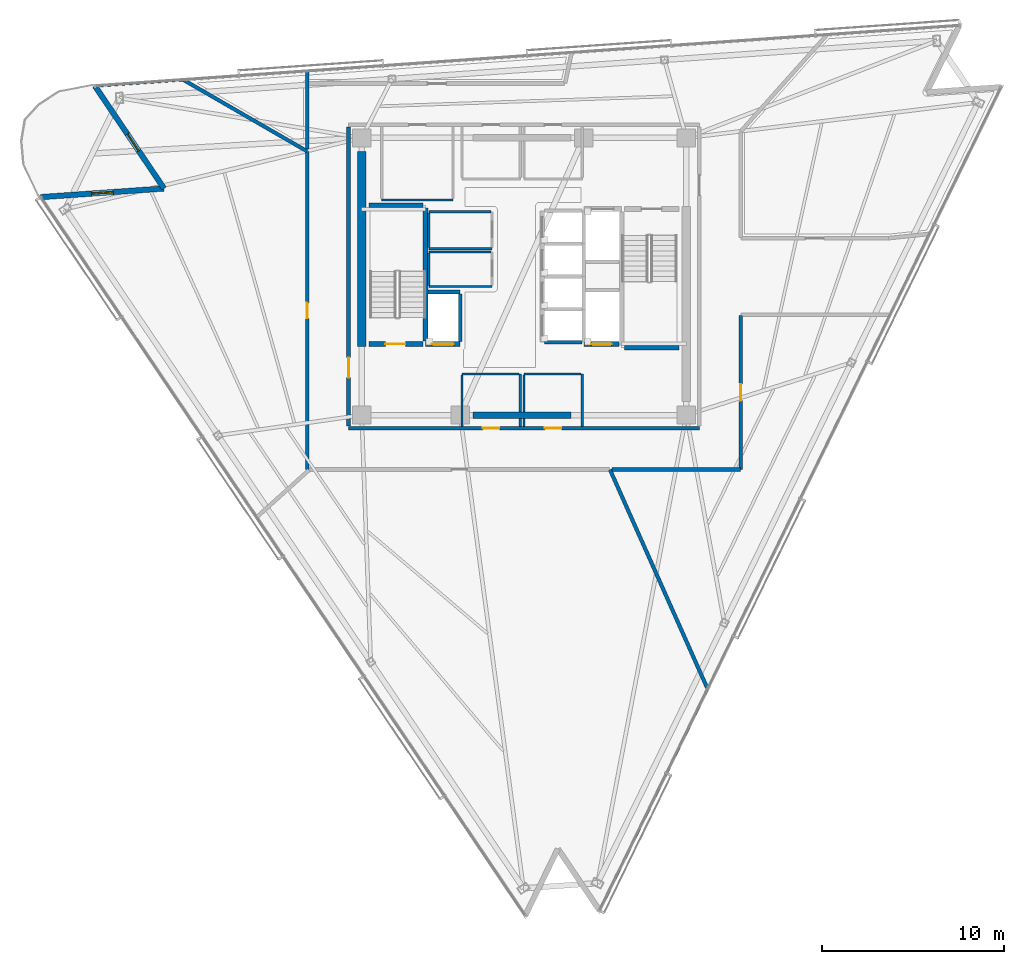
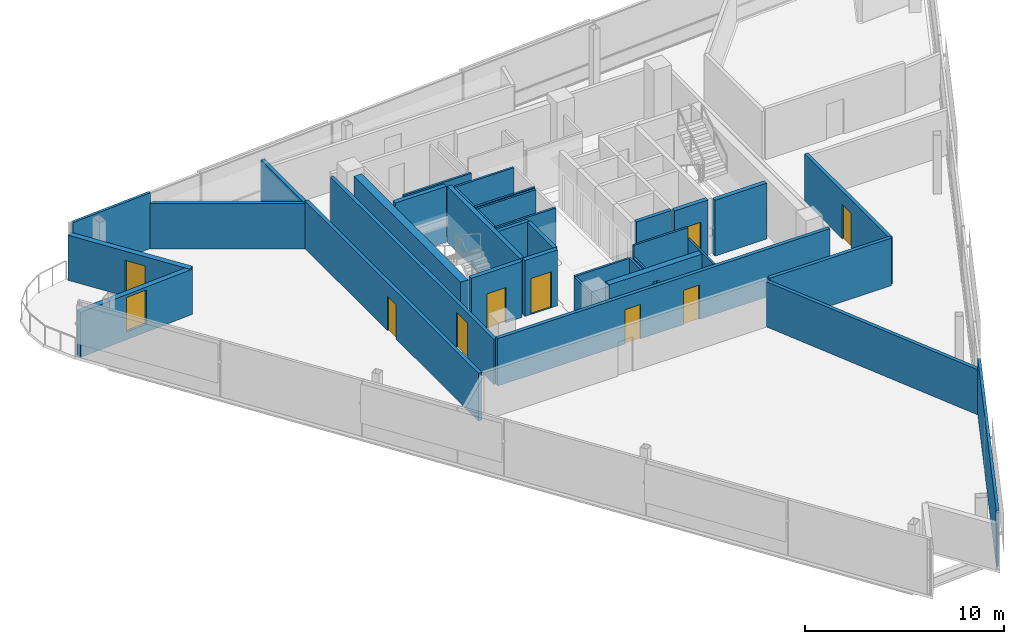
# One storey, part 9 of 16: 38 walls, 9 doors, 1 window, 10 openings.
"""IFC4 building model written with IfcOpenShell, lengths in metres."""

import ifcopenshell
import ifcopenshell.guid

model = None  # the IFC model being written
_history = None  # IfcOwnerHistory: only IFC2X3 demands one
_inside = {}  # id of a spatial element -> (the spatial element, [elements in it])
_under = {}  # id of a project, library or spatial element -> (it, [spatial elements below it])
_declared = {}  # id of a project -> (the project, [libraries it declares])
_typed = {}  # id of a type object -> (the type object, [elements of that type])
_made_of = {}  # id of a material, layer set ... -> (it, [elements and type objects made of it])


def new_model(schema):
    """Start an empty IFC model of exactly this schema.

    Asked for "IFC4X3", IfcOpenShell would pick the latest addendum, in which some entities
    have other attributes; the version numbers below select the first issue.
    IFC2X3 requires an IfcOwnerHistory on every rooted entity: one is made here for all.
    """
    global model, _history
    if schema == "IFC4X3":
        model = ifcopenshell.file(schema_version=(4, 3, 0, 0))
    else:
        model = ifcopenshell.file(schema=schema)
    _inside.clear()
    _under.clear()
    _declared.clear()
    _typed.clear()
    _made_of.clear()
    _history = None
    if model.schema == "IFC2X3":
        org = make("IfcOrganization", Name="unknown")
        user = make(
            "IfcPersonAndOrganization",
            ThePerson=make("IfcPerson", FamilyName="unknown"),
            TheOrganization=org,
        )
        app = make(
            "IfcApplication",
            ApplicationDeveloper=org,
            Version="unknown",
            ApplicationFullName="unknown",
            ApplicationIdentifier="unknown",
        )
        _history = make(
            "IfcOwnerHistory",
            OwningUser=user,
            OwningApplication=app,
            ChangeAction="ADDED",
            CreationDate=0,
        )
    return model


def make(cls, **values):
    """One entity of the class cls with the attributes given. An attribute that is None is left unset."""
    return model.create_entity(
        cls, **{name: value for name, value in values.items() if value is not None}
    )


def rooted(cls, **values):
    """An entity with a GlobalId (a new one), such as an element, a storey or a relation."""
    return make(cls, GlobalId=ifcopenshell.guid.new(), OwnerHistory=_history, **values)


def si_unit(unit_type, name, prefix=None):
    """IfcSIUnit, for example si_unit("LENGTHUNIT", "METRE", prefix="MILLI")."""
    return make("IfcSIUnit", UnitType=unit_type, Prefix=prefix, Name=name)


def assignment(units):
    """IfcUnitAssignment: the units of a project."""
    return None if units is None else make("IfcUnitAssignment", Units=units)


def point(xyz):
    """IfcCartesianPoint."""
    return None if xyz is None else make("IfcCartesianPoint", Coordinates=xyz)


def direction(xyz):
    """IfcDirection."""
    return None if xyz is None else make("IfcDirection", DirectionRatios=xyz)


def frame(location, z_axis=None, x_axis=None):
    """IfcAxis2Placement3D, a coordinate frame: its origin and axes. An axis left out is left unset."""
    return make(
        "IfcAxis2Placement3D",
        Location=point(location),
        Axis=direction(z_axis),
        RefDirection=direction(x_axis),
    )


def frame_2d(location, x_axis=None):
    """IfcAxis2Placement2D, a coordinate frame in the plane: its origin and x axis."""
    return make(
        "IfcAxis2Placement2D", Location=point(location), RefDirection=direction(x_axis)
    )


def origin():
    """The frame at (0, 0, 0) with its axes left unset."""
    return frame((0.0, 0.0, 0.0))


def place(relative_to, where):
    """IfcLocalPlacement: puts the frame where relative to a parent placement (None: the world)."""
    return make(
        "IfcLocalPlacement", PlacementRelTo=relative_to, RelativePlacement=where
    )


def context(
    kind, dimensions, precision=None, world=None, true_north=None, identifier=None
):
    """IfcGeometricRepresentationContext, for example the 3D "Model" context."""
    return make(
        "IfcGeometricRepresentationContext",
        ContextIdentifier=identifier,
        ContextType=kind,
        CoordinateSpaceDimension=dimensions,
        Precision=precision,
        WorldCoordinateSystem=world,
        TrueNorth=true_north,
    )


def subcontext(parent, identifier, kind, view, scale=None):
    """IfcGeometricRepresentationSubContext, for example "Body" below "Model"."""
    return make(
        "IfcGeometricRepresentationSubContext",
        ContextIdentifier=identifier,
        ContextType=kind,
        ParentContext=parent,
        TargetScale=scale,
        TargetView=view,
    )


def project(units=None, contexts=None):
    """IfcProject with its units and contexts."""
    return rooted(
        "IfcProject",
        Name="project",
        RepresentationContexts=contexts,
        UnitsInContext=assignment(units),
    )


def spatial(cls, under=None, at=None, **own):
    """A site, building, storey or space (cls), placed at a placement, below another one or the project."""
    s = rooted(cls, ObjectPlacement=at, **own)
    if under is not None:
        _under.setdefault(under.id(), (under, []))[1].append(s)
    return s


def profile(cls, at=None, kind="AREA", **sizes):
    """A parametric profile (cls). Its sizes go by their IFC names, for example OverallWidth=200.0."""
    return make(cls, ProfileType=kind, Position=at, **sizes)


def rectangle(**sizes):
    """IfcRectangleProfileDef."""
    return profile("IfcRectangleProfileDef", **sizes)


def extrude(swept, where, along, depth):
    """IfcExtrudedAreaSolid: the profile swept, set in the frame where, extruded along a direction by depth."""
    return make(
        "IfcExtrudedAreaSolid",
        SweptArea=swept,
        Position=where,
        ExtrudedDirection=direction(along),
        Depth=depth,
    )


def shape(context_of_items, identifier, shape_type, items):
    """IfcShapeRepresentation: the items that make up one representation, for example the "Body"."""
    return make(
        "IfcShapeRepresentation",
        ContextOfItems=context_of_items,
        RepresentationIdentifier=identifier,
        RepresentationType=shape_type,
        Items=items,
    )


def material(Name=None, Category=None):
    """IfcMaterial."""
    return make("IfcMaterial", Name=Name, Category=Category)


def layer(
    of_material, thickness, ventilated=None, Name=None, Category=None, Priority=None
):
    """IfcMaterialLayer: one layer of a wall or slab, of a material (None: an air gap)."""
    return make(
        "IfcMaterialLayer",
        Material=of_material,
        LayerThickness=thickness,
        IsVentilated=ventilated,
        Name=Name,
        Category=Category,
        Priority=Priority,
    )


def layer_set(layers, Name=None):
    """IfcMaterialLayerSet."""
    return make("IfcMaterialLayerSet", MaterialLayers=layers, LayerSetName=Name)


def made_of(thing, what):
    """Note that an element or type object is made of a material, layer set ...; save() writes the relation."""
    if what is not None:
        _made_of.setdefault(what.id(), (what, []))[1].append(thing)
    return thing


def type_object(cls, material=None, **own):
    """A type object (cls), such as IfcWallType, which elements share."""
    return made_of(rooted(cls, **own), material)


def element(
    cls,
    number,
    at=None,
    inside=None,
    cuts=None,
    type_object=None,
    material=None,
    context=None,
    identifier="Body",
    shape_type=None,
    held_by="IfcProductDefinitionShape",
    body=None,
    shapes=None,
    **own,
):
    """One element of the class cls, such as IfcWall. Its Tag is "e" and its number.

    at: its placement. inside: the storey or other place that contains it. cuts: it is an
    opening in that element (IfcRelVoidsElement). A single representation is given by context,
    identifier, shape_type and body (its items); several are given by shapes. held_by: the class
    of the entity that holds the representations. save() writes the other relations.
    """
    e = rooted(cls, Tag="e%d" % number, ObjectPlacement=at, **own)
    if body is not None:
        shapes = [shape(context, identifier, shape_type, body)]
    if shapes is not None:
        e.Representation = make(held_by, Representations=shapes)
    if inside is not None:
        _inside.setdefault(inside.id(), (inside, []))[1].append(e)
    if cuts is not None:
        rooted(
            "IfcRelVoidsElement", RelatingBuildingElement=cuts, RelatedOpeningElement=e
        )
    if type_object is not None:
        _typed.setdefault(type_object.id(), (type_object, []))[1].append(e)
    return made_of(e, material)


def fill(opening, filler):
    """IfcRelFillsElement: the door or window that sits in an opening."""
    return rooted(
        "IfcRelFillsElement",
        RelatingOpeningElement=opening,
        RelatedBuildingElement=filler,
    )


def aggregate(whole, parts):
    """IfcRelAggregates: a whole, such as a stair, and the parts it consists of."""
    return rooted("IfcRelAggregates", RelatingObject=whole, RelatedObjects=parts)


def save(model, path):
    """Write the relations noted so far, then the file.

    IfcRelAggregates (storeys below a building ...), IfcRelContainedInSpatialStructure (elements
    in a storey), IfcRelDefinesByType, IfcRelAssociatesMaterial and IfcRelDeclares: one each for
    every whole, place, type object, material and project.
    """
    for whole, parts in _under.values():
        aggregate(whole, parts)
    for where, things in _inside.values():
        rooted(
            "IfcRelContainedInSpatialStructure",
            RelatedElements=things,
            RelatingStructure=where,
        )
    for kind, things in _typed.values():
        rooted("IfcRelDefinesByType", RelatedObjects=things, RelatingType=kind)
    for what, things in _made_of.values():
        rooted("IfcRelAssociatesMaterial", RelatedObjects=things, RelatingMaterial=what)
    for by, libraries in _declared.values():
        rooted("IfcRelDeclares", RelatingContext=by, RelatedDefinitions=libraries)
    model.write(path)


model = new_model("IFC4")

# Units and contexts
model_context = context("Model", 3, precision=1e-05, world=origin(), true_north=direction((0.0, 1.0)))
body_context = subcontext(model_context, "Body", "Model", "MODEL_VIEW")
ifc_project = project(units=[si_unit("LENGTHUNIT", "METRE"), si_unit("AREAUNIT", "SQUARE_METRE"), si_unit("VOLUMEUNIT", "CUBIC_METRE"), si_unit("PLANEANGLEUNIT", "RADIAN"), si_unit("MASSUNIT", "GRAM", prefix="KILO")], contexts=[model_context])

# Site, building, storey
site_placement = place(None, origin())
site = spatial("IfcSite", under=ifc_project, at=site_placement, CompositionType="ELEMENT")
building_placement = place(site_placement, origin())
building = spatial("IfcBuilding", under=site, at=building_placement, Name="Tharavind Bronze Gate", CompositionType="ELEMENT")
storey_placement = place(building_placement, frame((0.0, 0.0, 271.39990234375)))
storey = spatial("IfcBuildingStorey", under=building, at=storey_placement, Name="L70", CompositionType="ELEMENT", Elevation=271.39990234375)

# Wall, opening, door
ifc_material_1 = material(Name="Concrete C40/50", Category="concrete")
ifc_layer_1 = layer(ifc_material_1, 0.300048828125)
ifc_layer_set_1 = layer_set([ifc_layer_1], Name="Concrete C40/50")
wall_type_1 = type_object("IfcWallType", Name="EXTERIOR SPANDREL WALL 300", PredefinedType="STANDARD", material=ifc_layer_set_1)
wall_1_placement = place(storey_placement, frame((-23.52587890625, 10.446044921875, 0.0), z_axis=(0.0, 0.0, 1.0), x_axis=(0.559187716425, -0.829041071238, 0.0)))
wall_1 = element("IfcWall", 1, at=wall_1_placement, inside=storey, type_object=wall_type_1, Name="L70 notch cheek wall 1A", PredefinedType="STANDARD", context=body_context, shape_type="SweptSolid", body=[
    extrude(rectangle(XDim=6.780029296875, YDim=0.300048828125, at=frame_2d((3.39013671875, 0.0))), origin(), (0.0, 0.0, 1.0), 2.76513671875),
])
opening_1_placement = place(wall_1_placement, frame((3.18603515625, 0.0, 0.0)))
opening_1 = element("IfcOpeningElement", 2, at=opening_1_placement, cuts=wall_1, Name="Opening ED04", PredefinedType="OPENING", context=body_context, shape_type="SweptSolid", body=[
    extrude(rectangle(XDim=1.10009765625, YDim=2.199951171875, at=frame_2d((0.550048828125, 1.10009765625))), frame((0.0, 0.15990234375, 0.0), z_axis=(0.0, -1.0, 0.0), x_axis=(1.0, 0.0, 0.0)), (0.0, 0.0, 1.0), 0.320048828125),
])
ifc_material_2 = material(Name="Bronze Aluminium & Toughened Glass", Category="aluminium")
door_type_1 = type_object("IfcDoorType", Name="TREE BALCONY ACCESS DOOR 1100X2200", OperationType="SINGLE_SWING_LEFT", PredefinedType="DOOR", material=ifc_material_2)
door_1_placement = place(opening_1_placement, origin())
door_1 = element("IfcDoor", 3, at=door_1_placement, inside=storey, type_object=door_type_1, Name="L70 tree balcony access door", OperationType="SINGLE_SWING_LEFT", OverallHeight=2.199951171875, OverallWidth=1.10009765625, PredefinedType="DOOR", context=body_context, shape_type="SweptSolid", body=[
    extrude(rectangle(XDim=1.10009765625, YDim=2.199951171875, at=frame_2d((0.550048828125, 1.10009765625))), frame((0.0, 0.02490234375, 0.0), z_axis=(0.0, -1.0, 0.0), x_axis=(1.0, 0.0, 0.0)), (0.0, 0.0, 1.0), 0.050048828125),
])
fill(opening_1, door_1)

# Wall, opening, window
wall_2_placement = place(storey_placement, frame((-19.734619140625, 4.8251953125, 0.0), z_axis=(0.0, 0.0, 1.0), x_axis=(-0.997564507468, -0.06974993506, 0.0)))
wall_2 = element("IfcWall", 4, at=wall_2_placement, inside=storey, type_object=wall_type_1, Name="L70 notch cheek wall 1B", PredefinedType="STANDARD", context=body_context, shape_type="SweptSolid", body=[
    extrude(rectangle(XDim=6.780029296875, YDim=0.300048828125, at=frame_2d((3.39013671875, 0.0))), origin(), (0.0, 0.0, 1.0), 2.76513671875),
])
opening_2_placement = place(wall_2_placement, frame((2.7900390625, 0.0, 0.485107421875)))
opening_2 = element("IfcOpeningElement", 5, at=opening_2_placement, cuts=wall_2, Name="Opening W01", PredefinedType="OPENING", context=body_context, shape_type="SweptSolid", body=[
    extrude(rectangle(XDim=1.199951171875, YDim=2.10009765625, at=frame_2d((0.60009765625, 1.050048828125))), frame((0.0, 0.15990234375, 0.0), z_axis=(0.0, -1.0, 0.0), x_axis=(1.0, 0.0, 0.0)), (0.0, 0.0, 1.0), 0.320048828125),
])
ifc_material_3 = material(Name="Bronze Aluminium & Low-E Glass", Category="aluminium")
window_type = type_object("IfcWindowType", Name="FIXED BRONZE CASEMENT WINDOW 1200X2100", PartitioningType="SINGLE_PANEL", PredefinedType="WINDOW", material=ifc_material_3)
window_placement = place(opening_2_placement, origin())
window = element("IfcWindow", 6, at=window_placement, inside=storey, type_object=window_type, Name="L70 exterior window WL-L70-NCA1-01", OverallHeight=2.10009765625, OverallWidth=1.199951171875, PartitioningType="SINGLE_PANEL", PredefinedType="WINDOW", context=body_context, shape_type="SweptSolid", body=[
    extrude(rectangle(XDim=1.199951171875, YDim=2.10009765625, at=frame_2d((0.60009765625, 1.050048828125))), frame((0.0, 0.030029296875, 0.0), z_axis=(0.0, -1.0, 0.0), x_axis=(1.0, 0.0, 0.0)), (0.0, 0.0, 1.0), 0.06005859375),
])
fill(opening_2, window)

# Wall, openings, doors
ifc_material_4 = material(Name="Aerated Concrete Block", Category="concrete")
ifc_layer_2 = layer(ifc_material_4, 0.199951171875)
ifc_layer_set_2 = layer_set([ifc_layer_2], Name="Aerated Concrete Block")
wall_type_2 = type_object("IfcWallType", Name="FIRE RATED PARTITION 200", PredefinedType="PARTITIONING", material=ifc_layer_set_2)
wall_3_placement = place(storey_placement, frame((-9.6201171875, -8.320068359375, 0.0), z_axis=(0.0, 0.0, 1.0), x_axis=(1.0, 0.0, 0.0)))
wall_3 = element("IfcWall", 7, at=wall_3_placement, inside=storey, type_object=wall_type_2, Name="L70 south core corridor wall", PredefinedType="PARTITIONING", context=body_context, shape_type="SweptSolid", body=[
    extrude(rectangle(XDim=19.240234375, YDim=0.199951171875, at=frame_2d((9.6201171875, 0.0))), origin(), (0.0, 0.0, 1.0), 2.9150390625),
])
opening_3_placement = place(wall_3_placement, frame((7.3701171875, 0.0, 0.0)))
opening_3 = element("IfcOpeningElement", 8, at=opening_3_placement, cuts=wall_3, Name="Opening ID07", PredefinedType="OPENING", context=body_context, shape_type="SweptSolid", body=[
    extrude(rectangle(XDim=0.89990234375, YDim=2.10009765625, at=frame_2d((0.449951171875, 1.050048828125))), frame((0.0, 0.11009765625, 0.0), z_axis=(0.0, -1.0, 0.0), x_axis=(1.0, 0.0, 0.0)), (0.0, 0.0, 1.0), 0.219951171875),
])
opening_4_placement = place(wall_3_placement, frame((10.77001953125, 0.0, 0.0)))
opening_4 = element("IfcOpeningElement", 9, at=opening_4_placement, cuts=wall_3, Name="Opening ID07", PredefinedType="OPENING", context=body_context, shape_type="SweptSolid", body=[
    extrude(rectangle(XDim=0.89990234375, YDim=2.10009765625, at=frame_2d((0.449951171875, 1.050048828125))), frame((0.0, 0.11009765625, 0.0), z_axis=(0.0, -1.0, 0.0), x_axis=(1.0, 0.0, 0.0)), (0.0, 0.0, 1.0), 0.219951171875),
])
ifc_material_5 = material(Name="Galvanised Fire Steel", Category="steel")
door_type_2 = type_object("IfcDoorType", Name="PLANT AND RISER FIRE DOOR 900X2100", OperationType="SINGLE_SWING_LEFT", PredefinedType="DOOR", material=ifc_material_5)
door_2_placement = place(opening_3_placement, frame((0.89990234375, 0.0, 0.0), z_axis=(0.0, 0.0, 1.0), x_axis=(-1.0, 0.0, 0.0)))
door_2 = element("IfcDoor", 10, at=door_2_placement, inside=storey, type_object=door_type_2, Name="L70 Core Archive Store fire door", OperationType="SINGLE_SWING_LEFT", OverallHeight=2.10009765625, OverallWidth=0.89990234375, PredefinedType="DOOR", context=body_context, shape_type="SweptSolid", body=[
    extrude(rectangle(XDim=0.89990234375, YDim=2.10009765625, at=frame_2d((0.449951171875, 1.050048828125))), frame((0.0, 0.02490234375, 0.0), z_axis=(0.0, -1.0, 0.0), x_axis=(1.0, 0.0, 0.0)), (0.0, 0.0, 1.0), 0.050048828125),
])
fill(opening_3, door_2)
door_3_placement = place(opening_4_placement, frame((0.89990234375, 0.0, 0.0), z_axis=(0.0, 0.0, 1.0), x_axis=(-1.0, 0.0, 0.0)))
door_3 = element("IfcDoor", 11, at=door_3_placement, inside=storey, type_object=door_type_2, Name="L70 Core Server Room fire door", OperationType="SINGLE_SWING_LEFT", OverallHeight=2.10009765625, OverallWidth=0.89990234375, PredefinedType="DOOR", context=body_context, shape_type="SweptSolid", body=[
    extrude(rectangle(XDim=0.89990234375, YDim=2.10009765625, at=frame_2d((0.449951171875, 1.050048828125))), frame((0.0, 0.02490234375, 0.0), z_axis=(0.0, -1.0, 0.0), x_axis=(1.0, 0.0, 0.0)), (0.0, 0.0, 1.0), 0.050048828125),
])
fill(opening_4, door_3)

# Wall, opening, door
wall_4_placement = place(storey_placement, frame((-9.6201171875, 8.199951171875, 0.0), z_axis=(0.0, 0.0, 1.0), x_axis=(0.0, -1.0, 0.0)))
wall_4 = element("IfcWall", 12, at=wall_4_placement, inside=storey, type_object=wall_type_2, Name="L70 west core corridor wall", PredefinedType="PARTITIONING", context=body_context, shape_type="SweptSolid", body=[
    extrude(rectangle(XDim=16.39990234375, YDim=0.199951171875, at=frame_2d((8.199951171875, 0.0))), origin(), (0.0, 0.0, 1.0), 2.76513671875),
])
opening_5_placement = place(wall_4_placement, frame((12.64990234375, 0.0, 0.0)))
opening_5 = element("IfcOpeningElement", 13, at=opening_5_placement, cuts=wall_4, Name="Opening ID01", PredefinedType="OPENING", context=body_context, shape_type="SweptSolid", body=[
    extrude(rectangle(XDim=1.10009765625, YDim=2.14990234375, at=frame_2d((0.550048828125, 1.074951171875))), frame((0.0, 0.11009765625, 0.0), z_axis=(0.0, -1.0, 0.0), x_axis=(1.0, 0.0, 0.0)), (0.0, 0.0, 1.0), 0.219951171875),
])
ifc_material_6 = material(Name="Fire-Rated Steel", Category="steel")
door_type_3 = type_object("IfcDoorType", Name="STAIR CORE FIRE DOOR 1100X2150", OperationType="SINGLE_SWING_LEFT", PredefinedType="DOOR", material=ifc_material_6)
door_4_placement = place(opening_5_placement, frame((1.10009765625, 0.0, 0.0), z_axis=(0.0, 0.0, 1.0), x_axis=(-1.0, 0.0, 0.0)))
door_4 = element("IfcDoor", 14, at=door_4_placement, inside=storey, type_object=door_type_3, Name="L70 south west stair lobby fire door", OperationType="SINGLE_SWING_LEFT", OverallHeight=2.14990234375, OverallWidth=1.10009765625, PredefinedType="DOOR", context=body_context, shape_type="SweptSolid", body=[
    extrude(rectangle(XDim=1.10009765625, YDim=2.14990234375, at=frame_2d((0.550048828125, 1.074951171875))), frame((0.0, 0.02490234375, 0.0), z_axis=(0.0, -1.0, 0.0), x_axis=(1.0, 0.0, 0.0)), (0.0, 0.0, 1.0), 0.050048828125),
])
fill(opening_5, door_4)

# Wall
wall_5_placement = place(storey_placement, frame((-18.67333984375, 10.781005859375, 0.0), z_axis=(0.0, 0.0, 1.0), x_axis=(0.866029810455, -0.499992367345, 0.0)))
element("IfcWall", 15, at=wall_5_placement, inside=storey, type_object=wall_type_2, Name="L70 Public Restrooms Block partition", PredefinedType="PARTITIONING", context=body_context, shape_type="SweptSolid", body=[
    extrude(rectangle(XDim=7.82958984375, YDim=0.199951171875, at=frame_2d((3.914794921875, 0.0))), origin(), (0.0, 0.0, 1.0), 2.76513671875),
])

# Wall, opening, door
wall_6_placement = place(storey_placement, frame((-11.8798828125, 6.844482421875, 0.0), z_axis=(0.0, 0.0, 1.0), x_axis=(0.0, -1.0, 0.0)))
wall_6 = element("IfcWall", 16, at=wall_6_placement, inside=storey, type_object=wall_type_2, Name="L70 Public Restrooms Block partition", PredefinedType="PARTITIONING", context=body_context, shape_type="SweptSolid", body=[
    extrude(rectangle(XDim=17.423828125, YDim=0.199951171875, at=frame_2d((8.7119140625, 0.0))), origin(), (0.0, 0.0, 1.0), 2.9150390625),
])
opening_6_placement = place(wall_6_placement, frame((8.287109375, 0.0, 0.0)))
opening_6 = element("IfcOpeningElement", 17, at=opening_6_placement, cuts=wall_6, Name="Opening ID06", PredefinedType="OPENING", context=body_context, shape_type="SweptSolid", body=[
    extrude(rectangle(XDim=0.85009765625, YDim=2.10009765625, at=frame_2d((0.425048828125, 1.050048828125))), frame((0.0, 0.11009765625, 0.0), z_axis=(0.0, -1.0, 0.0), x_axis=(1.0, 0.0, 0.0)), (0.0, 0.0, 1.0), 0.219951171875),
])
ifc_material_7 = material(Name="Moisture-Resistant Timber", Category="wood")
door_type_4 = type_object("IfcDoorType", Name="BATHROOM PRIVACY DOOR 850X2100", OperationType="SINGLE_SWING_RIGHT", PredefinedType="DOOR", material=ifc_material_7)
door_5_placement = place(opening_6_placement, origin())
door_5 = element("IfcDoor", 18, at=door_5_placement, inside=storey, type_object=door_type_4, Name="L70 Public Restrooms Block door", OperationType="SINGLE_SWING_RIGHT", OverallHeight=2.10009765625, OverallWidth=0.85009765625, PredefinedType="DOOR", context=body_context, shape_type="SweptSolid", body=[
    extrude(rectangle(XDim=0.85009765625, YDim=2.10009765625, at=frame_2d((0.425048828125, 1.050048828125))), frame((0.0, 0.02490234375, 0.0), z_axis=(0.0, -1.0, 0.0), x_axis=(1.0, 0.0, 0.0)), (0.0, 0.0, 1.0), 0.050048828125),
])
fill(opening_6, door_5)

# Walls
wall_7_placement = place(storey_placement, frame((4.717041015625, -10.5947265625, 0.0), z_axis=(0.0, 0.0, 1.0), x_axis=(0.406740308305, -0.913543825769, 0.0)))
element("IfcWall", 19, at=wall_7_placement, inside=storey, type_object=wall_type_2, Name="L70 Public Restrooms Block partition", PredefinedType="PARTITIONING", context=body_context, shape_type="SweptSolid", body=[
    extrude(rectangle(XDim=13.1337890625, YDim=0.199951171875, at=frame_2d((6.56689453125, 0.0))), origin(), (0.0, 0.0, 1.0), 2.76513671875),
])
wall_8_placement = place(storey_placement, frame((-11.8798828125, 11.260498046875, 0.0), z_axis=(0.0, 0.0, 1.0), x_axis=(0.0, -1.0, 0.0)))
element("IfcWall", 20, at=wall_8_placement, inside=storey, type_object=wall_type_2, Name="L70 Flight Systems Office partition", PredefinedType="PARTITIONING", context=body_context, shape_type="SweptSolid", body=[
    extrude(rectangle(XDim=4.280517578125, YDim=0.199951171875, at=frame_2d((2.14013671875, 0.0))), origin(), (0.0, 0.0, 1.0), 2.76513671875),
])
wall_9_placement = place(storey_placement, frame((4.825439453125, -10.580078125, 0.0), z_axis=(0.0, 0.0, 1.0), x_axis=(1.0, 0.0, 0.0)))
element("IfcWall", 21, at=wall_9_placement, inside=storey, type_object=wall_type_2, Name="L70 Tea Pantry partition", PredefinedType="PARTITIONING", context=body_context, shape_type="SweptSolid", body=[
    extrude(rectangle(XDim=7.053955078125, YDim=0.199951171875, at=frame_2d((3.52685546875, 0.0))), origin(), (0.0, 0.0, 1.0), 2.9150390625),
])

# Wall, opening, door
wall_10_placement = place(storey_placement, frame((11.8798828125, -10.579345703125, 0.0), z_axis=(0.0, 0.0, 1.0), x_axis=(0.0, 1.0, 0.0)))
wall_10 = element("IfcWall", 22, at=wall_10_placement, inside=storey, type_object=wall_type_2, Name="L70 Tea Pantry partition", PredefinedType="PARTITIONING", context=body_context, shape_type="SweptSolid", body=[
    extrude(rectangle(XDim=8.454345703125, YDim=0.199951171875, at=frame_2d((4.22705078125, 0.0))), origin(), (0.0, 0.0, 1.0), 2.9150390625),
])
opening_7_placement = place(wall_10_placement, frame((3.777099609375, 0.0, 0.0)))
opening_7 = element("IfcOpeningElement", 23, at=opening_7_placement, cuts=wall_10, Name="Opening ID07", PredefinedType="OPENING", context=body_context, shape_type="SweptSolid", body=[
    extrude(rectangle(XDim=0.89990234375, YDim=2.10009765625, at=frame_2d((0.449951171875, 1.050048828125))), frame((0.0, 0.11009765625, 0.0), z_axis=(0.0, -1.0, 0.0), x_axis=(1.0, 0.0, 0.0)), (0.0, 0.0, 1.0), 0.219951171875),
])
door_6_placement = place(opening_7_placement, origin())
door_6 = element("IfcDoor", 24, at=door_6_placement, inside=storey, type_object=door_type_2, Name="L70 Tea Pantry door", OperationType="SINGLE_SWING_LEFT", OverallHeight=2.10009765625, OverallWidth=0.89990234375, PredefinedType="DOOR", context=body_context, shape_type="SweptSolid", body=[
    extrude(rectangle(XDim=0.89990234375, YDim=2.10009765625, at=frame_2d((0.449951171875, 1.050048828125))), frame((0.0, 0.02490234375, 0.0), z_axis=(0.0, -1.0, 0.0), x_axis=(1.0, 0.0, 0.0)), (0.0, 0.0, 1.0), 0.050048828125),
])
fill(opening_7, door_6)

# Walls
ifc_material_8 = material(Name="Metal Stud Gypsum Partition", Category="gypsum")
ifc_layer_3 = layer(ifc_material_8, 0.1201171875)
ifc_layer_set_3 = layer_set([ifc_layer_3], Name="Metal Stud Gypsum Partition")
wall_type_3 = type_object("IfcWallType", Name="INTERIOR PARTITION WALL 120", PredefinedType="PARTITIONING", material=ifc_layer_set_3)
wall_11_placement = place(storey_placement, frame((-5.219970703125, 1.52001953125, 0.0), z_axis=(0.0, 0.0, 1.0), x_axis=(1.0, 0.0, 0.0)))
element("IfcWall", 25, at=wall_11_placement, inside=storey, type_object=wall_type_3, Name="L70 Cleaner Store Room partition 1", PredefinedType="PARTITIONING", context=body_context, shape_type="SweptSolid", body=[
    extrude(rectangle(XDim=3.469970703125, YDim=0.1201171875, at=frame_2d((1.73486328125, 0.0))), origin(), (0.0, 0.0, 1.0), 3.420166015625),
])
wall_12_placement = place(storey_placement, frame((-1.81494140625, 3.550048828125, 0.0), z_axis=(0.0, 0.0, 1.0), x_axis=(-1.0, 0.0, 0.0)))
element("IfcWall", 26, at=wall_12_placement, inside=storey, type_object=wall_type_3, Name="L70 Cleaner Store Room partition 3", PredefinedType="PARTITIONING", context=body_context, shape_type="SweptSolid", body=[
    extrude(rectangle(XDim=3.405029296875, YDim=0.1201171875, at=frame_2d((1.70263671875, 0.0))), origin(), (0.0, 0.0, 1.0), 3.420166015625),
])
wall_13_placement = place(storey_placement, frame((-5.219970703125, 3.485107421875, 0.0), z_axis=(0.0, 0.0, 1.0), x_axis=(0.0, -1.0, 0.0)))
element("IfcWall", 27, at=wall_13_placement, inside=storey, type_object=wall_type_3, Name="L70 Cleaner Store Room partition 4", PredefinedType="PARTITIONING", context=body_context, shape_type="SweptSolid", body=[
    extrude(rectangle(XDim=1.900146484375, YDim=0.1201171875, at=frame_2d((0.9501953125, 0.0))), origin(), (0.0, 0.0, 1.0), 3.420166015625),
])
wall_14_placement = place(storey_placement, frame((-5.219970703125, -0.550048828125, 0.0), z_axis=(0.0, 0.0, 1.0), x_axis=(1.0, 0.0, 0.0)))
element("IfcWall", 28, at=wall_14_placement, inside=storey, type_object=wall_type_3, Name="L70 Electrical Switch Room partition 1", PredefinedType="PARTITIONING", context=body_context, shape_type="SweptSolid", body=[
    extrude(rectangle(XDim=3.469970703125, YDim=0.1201171875, at=frame_2d((1.73486328125, 0.0))), origin(), (0.0, 0.0, 1.0), 3.420166015625),
])
wall_15_placement = place(storey_placement, frame((-1.81494140625, 1.340087890625, 0.0), z_axis=(0.0, 0.0, 1.0), x_axis=(-1.0, 0.0, 0.0)))
element("IfcWall", 29, at=wall_15_placement, inside=storey, type_object=wall_type_3, Name="L70 Electrical Switch Room partition 3", PredefinedType="PARTITIONING", context=body_context, shape_type="SweptSolid", body=[
    extrude(rectangle(XDim=3.405029296875, YDim=0.1201171875, at=frame_2d((1.70263671875, 0.0))), origin(), (0.0, 0.0, 1.0), 3.420166015625),
])
wall_16_placement = place(storey_placement, frame((-5.219970703125, 1.27490234375, 0.0), z_axis=(0.0, 0.0, 1.0), x_axis=(0.0, -1.0, 0.0)))
element("IfcWall", 30, at=wall_16_placement, inside=storey, type_object=wall_type_3, Name="L70 Electrical Switch Room partition 4", PredefinedType="PARTITIONING", context=body_context, shape_type="SweptSolid", body=[
    extrude(rectangle(XDim=1.760009765625, YDim=0.1201171875, at=frame_2d((0.8798828125, 0.0))), origin(), (0.0, 0.0, 1.0), 3.420166015625),
])
wall_17_placement = place(storey_placement, frame((-0.199951171875, -8.215087890625, 0.0), z_axis=(0.0, 0.0, 1.0), x_axis=(0.0, 1.0, 0.0)))
element("IfcWall", 31, at=wall_17_placement, inside=storey, type_object=wall_type_3, Name="L70 Core Archive Store partition 2", PredefinedType="PARTITIONING", context=body_context, shape_type="SweptSolid", body=[
    extrude(rectangle(XDim=0.43505859375, YDim=0.1201171875, at=frame_2d((0.217529296875, 0.0))), origin(), (0.0, 0.0, 1.0), 2.715087890625),
])
wall_18_placement = place(storey_placement, frame((-0.199951171875, -7.419921875, 0.0), z_axis=(0.0, 0.0, 1.0), x_axis=(0.0, 1.0, 0.0)))
element("IfcWall", 32, at=wall_18_placement, inside=storey, type_object=wall_type_3, Name="L70 Core Archive Store partition 2", PredefinedType="PARTITIONING", context=body_context, shape_type="SweptSolid", body=[
    extrude(rectangle(XDim=2.06982421875, YDim=0.1201171875, at=frame_2d((1.034912109375, 0.0))), origin(), (0.0, 0.0, 1.0), 2.715087890625),
])
wall_19_placement = place(storey_placement, frame((-0.264892578125, -5.35009765625, 0.0), z_axis=(0.0, 0.0, 1.0), x_axis=(-1.0, 0.0, 0.0)))
element("IfcWall", 33, at=wall_19_placement, inside=storey, type_object=wall_type_3, Name="L70 Core Archive Store partition 3", PredefinedType="PARTITIONING", context=body_context, shape_type="SweptSolid", body=[
    extrude(rectangle(XDim=3.135009765625, YDim=0.1201171875, at=frame_2d((1.5673828125, 0.0))), origin(), (0.0, 0.0, 1.0), 2.715087890625),
])
wall_20_placement = place(storey_placement, frame((-3.39990234375, -5.4150390625, 0.0), z_axis=(0.0, 0.0, 1.0), x_axis=(0.0, -1.0, 0.0)))
element("IfcWall", 34, at=wall_20_placement, inside=storey, type_object=wall_type_3, Name="L70 Core Archive Store partition 4", PredefinedType="PARTITIONING", context=body_context, shape_type="SweptSolid", body=[
    extrude(rectangle(XDim=2.800048828125, YDim=0.1201171875, at=frame_2d((1.39990234375, 0.0))), origin(), (0.0, 0.0, 1.0), 2.715087890625),
])
wall_21_placement = place(storey_placement, frame((3.199951171875, -8.215087890625, 0.0), z_axis=(0.0, 0.0, 1.0), x_axis=(0.0, 1.0, 0.0)))
element("IfcWall", 35, at=wall_21_placement, inside=storey, type_object=wall_type_3, Name="L70 Core Server Room partition 2", PredefinedType="PARTITIONING", context=body_context, shape_type="SweptSolid", body=[
    extrude(rectangle(XDim=2.864990234375, YDim=0.1201171875, at=frame_2d((1.4326171875, 0.0))), origin(), (0.0, 0.0, 1.0), 2.715087890625),
])
wall_22_placement = place(storey_placement, frame((3.135009765625, -5.35009765625, 0.0), z_axis=(0.0, 0.0, 1.0), x_axis=(-1.0, 0.0, 0.0)))
element("IfcWall", 36, at=wall_22_placement, inside=storey, type_object=wall_type_3, Name="L70 Core Server Room partition 3", PredefinedType="PARTITIONING", context=body_context, shape_type="SweptSolid", body=[
    extrude(rectangle(XDim=3.135009765625, YDim=0.1201171875, at=frame_2d((1.5673828125, 0.0))), origin(), (0.0, 0.0, 1.0), 3.420166015625),
])
wall_23_placement = place(storey_placement, frame((0.0, -5.4150390625, 0.0), z_axis=(0.0, 0.0, 1.0), x_axis=(0.0, -1.0, 0.0)))
element("IfcWall", 37, at=wall_23_placement, inside=storey, type_object=wall_type_3, Name="L70 Core Server Room partition 4", PredefinedType="PARTITIONING", context=body_context, shape_type="SweptSolid", body=[
    extrude(rectangle(XDim=2.0048828125, YDim=0.1201171875, at=frame_2d((1.00244140625, 0.0))), origin(), (0.0, 0.0, 1.0), 2.715087890625),
])
wall_24_placement = place(storey_placement, frame((0.0, -7.780029296875, 0.0), z_axis=(0.0, 0.0, 1.0), x_axis=(0.0, -1.0, 0.0)))
element("IfcWall", 38, at=wall_24_placement, inside=storey, type_object=wall_type_3, Name="L70 Core Server Room partition 4", PredefinedType="PARTITIONING", context=body_context, shape_type="SweptSolid", body=[
    extrude(rectangle(XDim=0.43505859375, YDim=0.1201171875, at=frame_2d((0.217529296875, 0.0))), origin(), (0.0, 0.0, 1.0), 2.715087890625),
])
wall_25_placement = place(storey_placement, frame((-7.800048828125, 4.199951171875, 0.0), z_axis=(0.0, 0.0, 1.0), x_axis=(1.0, 0.0, 0.0)))
element("IfcWall", 39, at=wall_25_placement, inside=storey, type_object=wall_type_3, Name="L70 Electrical Switch Room partition 1", PredefinedType="PARTITIONING", context=body_context, shape_type="SweptSolid", body=[
    extrude(rectangle(XDim=3.900146484375, YDim=0.1201171875, at=frame_2d((1.9501953125, 0.0))), origin(), (0.0, 0.0, 1.0), 3.420166015625),
])
ifc_material_9 = material(Name="Twin Stud Acoustic Gypsum", Category="gypsum")
ifc_layer_4 = layer(ifc_material_9, 0.14990234375)
ifc_layer_set_4 = layer_set([ifc_layer_4], Name="Twin Stud Acoustic Gypsum")
wall_type_4 = type_object("IfcWallType", Name="INTERIOR PARTITION WALL 150", PredefinedType="PARTITIONING", material=ifc_layer_set_4)
wall_26_placement = place(storey_placement, frame((-23.34716796875, 10.45849609375, 0.0), z_axis=(0.0, 0.0, 1.0), x_axis=(0.997566316113, 0.069724062962, 0.0)))
element("IfcWall", 40, at=wall_26_placement, inside=storey, type_object=wall_type_4, Name="L70 Public Restrooms Block partition", PredefinedType="PARTITIONING", context=body_context, shape_type="SweptSolid", body=[
    extrude(rectangle(XDim=4.671142578125, YDim=0.14990234375, at=frame_2d((2.33544921875, 0.0))), origin(), (0.0, 0.0, 1.0), 3.420166015625),
])
wall_27_placement = place(storey_placement, frame((10.05859375, -22.6142578125, 0.0), z_axis=(0.0, 0.0, 1.0), x_axis=(-0.438368087018, -0.898795538643, 0.0)))
element("IfcWall", 41, at=wall_27_placement, inside=storey, type_object=wall_type_4, Name="L70 Public Restrooms Block partition", PredefinedType="PARTITIONING", context=body_context, shape_type="SweptSolid", body=[
    extrude(rectangle(XDim=13.336181640625, YDim=0.14990234375, at=frame_2d((6.66796875, 0.0))), origin(), (0.0, 0.0, 1.0), 3.420166015625),
])
ifc_material_10 = material(Name="Concrete C50/60", Category="concrete")
ifc_layer_5 = layer(ifc_material_10, 0.25)
ifc_layer_set_5 = layer_set([ifc_layer_5], Name="Concrete C50/60")
wall_type_5 = type_object("IfcWallType", Name="RC CORE SHEAR WALL 250", PredefinedType="SHEAR", material=ifc_layer_set_5)
wall_28_placement = place(storey_placement, frame((-5.39990234375, -3.550048828125, 0.0), z_axis=(0.0, 0.0, 1.0), x_axis=(0.0, 1.0, 0.0)))
element("IfcWall", 42, at=wall_28_placement, inside=storey, type_object=wall_type_5, Name="L70 ST1 shaft east wall", PredefinedType="SHEAR", context=body_context, shape_type="SweptSolid", body=[
    extrude(rectangle(XDim=7.300048828125, YDim=0.25, at=frame_2d((3.64990234375, 0.0))), origin(), (0.0, 0.0, 1.0), 3.420166015625),
])

# Wall, opening, door
wall_29_placement = place(storey_placement, frame((-8.5, -3.699951171875, 0.0), z_axis=(0.0, 0.0, 1.0), x_axis=(1.0, 0.0, 0.0)))
wall_29 = element("IfcWall", 43, at=wall_29_placement, inside=storey, type_object=wall_type_5, Name="L70 ST1 shaft south wall", PredefinedType="SHEAR", context=body_context, shape_type="SweptSolid", body=[
    extrude(rectangle(XDim=2.949951171875, YDim=0.25, at=frame_2d((1.47509765625, 0.0))), origin(), (0.0, 0.0, 1.0), 3.420166015625),
])
opening_8_placement = place(wall_29_placement, frame((0.89990234375, 0.0, 0.0)))
opening_8 = element("IfcOpeningElement", 44, at=opening_8_placement, cuts=wall_29, Name="Opening ID01", PredefinedType="OPENING", context=body_context, shape_type="SweptSolid", body=[
    extrude(rectangle(XDim=1.10009765625, YDim=2.14990234375, at=frame_2d((0.550048828125, 1.074951171875))), frame((0.0, 0.135, 0.0), z_axis=(0.0, -1.0, 0.0), x_axis=(1.0, 0.0, 0.0)), (0.0, 0.0, 1.0), 0.27),
])
door_7_placement = place(opening_8_placement, origin())
door_7 = element("IfcDoor", 45, at=door_7_placement, inside=storey, type_object=door_type_3, Name="L70 exit stair ST1 fire door", OperationType="SINGLE_SWING_LEFT", OverallHeight=2.14990234375, OverallWidth=1.10009765625, PredefinedType="DOOR", context=body_context, shape_type="SweptSolid", body=[
    extrude(rectangle(XDim=1.10009765625, YDim=2.14990234375, at=frame_2d((0.550048828125, 1.074951171875))), frame((0.0, 0.02490234375, 0.0), z_axis=(0.0, -1.0, 0.0), x_axis=(1.0, 0.0, 0.0)), (0.0, 0.0, 1.0), 0.050048828125),
])
fill(opening_8, door_7)

# Walls
wall_30_placement = place(storey_placement, frame((-8.5, 3.89990234375, 0.0), z_axis=(0.0, 0.0, 1.0), x_axis=(1.0, 0.0, 0.0)))
element("IfcWall", 46, at=wall_30_placement, inside=storey, type_object=wall_type_5, Name="L70 ST1 shaft north wall", PredefinedType="SHEAR", context=body_context, shape_type="SweptSolid", body=[
    extrude(rectangle(XDim=2.949951171875, YDim=0.25, at=frame_2d((1.47509765625, 0.0))), origin(), (0.0, 0.0, 1.0), 3.420166015625),
])
wall_31_placement = place(storey_placement, frame((5.5, -3.89990234375, 0.0), z_axis=(0.0, 0.0, 1.0), x_axis=(1.0, 0.0, 0.0)))
element("IfcWall", 47, at=wall_31_placement, inside=storey, type_object=wall_type_5, Name="L70 ST2 shaft south wall", PredefinedType="SHEAR", context=body_context, shape_type="SweptSolid", body=[
    extrude(rectangle(XDim=3.0, YDim=0.25, at=frame_2d((1.5, 0.0))), origin(), (0.0, 0.0, 1.0), 3.420166015625),
])

# Wall, opening, door
wall_32_placement = place(storey_placement, frame((-5.39990234375, -3.699951171875, 0.0), z_axis=(0.0, 0.0, 1.0), x_axis=(1.0, 0.0, 0.0)))
wall_32 = element("IfcWall", 48, at=wall_32_placement, inside=storey, type_object=wall_type_5, Name="L70 lift FFL1 shaft front wall", PredefinedType="SHEAR", context=body_context, shape_type="SweptSolid", body=[
    extrude(rectangle(XDim=1.89990234375, YDim=0.25, at=frame_2d((0.949951171875, 0.0))), origin(), (0.0, 0.0, 1.0), 3.420166015625),
])
opening_9_placement = place(wall_32_placement, frame((0.35009765625, 0.0, 0.0)))
opening_9 = element("IfcOpeningElement", 49, at=opening_9_placement, cuts=wall_32, Name="Opening LD02", PredefinedType="OPENING", context=body_context, shape_type="SweptSolid", body=[
    extrude(rectangle(XDim=1.199951171875, YDim=2.199951171875, at=frame_2d((0.60009765625, 1.10009765625))), frame((0.0, 0.135, 0.0), z_axis=(0.0, -1.0, 0.0), x_axis=(1.0, 0.0, 0.0)), (0.0, 0.0, 1.0), 0.27),
])
ifc_material_11 = material(Name="Brushed Stainless Steel", Category="steel")
door_type_5 = type_object("IfcDoorType", Name="FIREFIGHTING LIFT LANDING DOOR 1200X2200", OperationType="SLIDING_TO_RIGHT", PredefinedType="DOOR", material=ifc_material_11)
door_8_placement = place(opening_9_placement, origin())
door_8 = element("IfcDoor", 50, at=door_8_placement, inside=storey, type_object=door_type_5, Name="L70 lift FFL1 sliding landing door", OperationType="SLIDING_TO_RIGHT", OverallHeight=2.199951171875, OverallWidth=1.199951171875, PredefinedType="DOOR", context=body_context, shape_type="SweptSolid", body=[
    extrude(rectangle(XDim=1.199951171875, YDim=2.199951171875, at=frame_2d((0.60009765625, 1.10009765625))), frame((0.0, 0.02490234375, 0.0), z_axis=(0.0, -1.0, 0.0), x_axis=(1.0, 0.0, 0.0)), (0.0, 0.0, 1.0), 0.050048828125),
])
fill(opening_9, door_8)

wall_33_placement = place(storey_placement, frame((3.280029296875, -3.699951171875, 0.0), z_axis=(0.0, 0.0, 1.0), x_axis=(1.0, 0.0, 0.0)))
wall_33 = element("IfcWall", 51, at=wall_33_placement, inside=storey, type_object=wall_type_5, Name="L70 lift SVL1 shaft front wall", PredefinedType="SHEAR", context=body_context, shape_type="SweptSolid", body=[
    extrude(rectangle(XDim=1.93994140625, YDim=0.25, at=frame_2d((0.969970703125, 0.0))), origin(), (0.0, 0.0, 1.0), 3.420166015625),
])
opening_10_placement = place(wall_33_placement, frame((0.419921875, 0.0, 0.0)))
opening_10 = element("IfcOpeningElement", 52, at=opening_10_placement, cuts=wall_33, Name="Opening LD01", PredefinedType="OPENING", context=body_context, shape_type="SweptSolid", body=[
    extrude(rectangle(XDim=1.10009765625, YDim=2.199951171875, at=frame_2d((0.550048828125, 1.10009765625))), frame((0.0, 0.135, 0.0), z_axis=(0.0, -1.0, 0.0), x_axis=(1.0, 0.0, 0.0)), (0.0, 0.0, 1.0), 0.27),
])
ifc_material_12 = material(Name="Brushed Bronze Stainless Steel", Category="steel")
door_type_6 = type_object("IfcDoorType", Name="LIFT LANDING SLIDING DOOR 1100X2200", OperationType="SLIDING_TO_LEFT", PredefinedType="DOOR", material=ifc_material_12)
door_9_placement = place(opening_10_placement, origin())
door_9 = element("IfcDoor", 53, at=door_9_placement, inside=storey, type_object=door_type_6, Name="L70 lift SVL1 sliding landing door", OperationType="SLIDING_TO_LEFT", OverallHeight=2.199951171875, OverallWidth=1.10009765625, PredefinedType="DOOR", context=body_context, shape_type="SweptSolid", body=[
    extrude(rectangle(XDim=1.10009765625, YDim=2.199951171875, at=frame_2d((0.550048828125, 1.10009765625))), frame((0.0, 0.02490234375, 0.0), z_axis=(0.0, -1.0, 0.0), x_axis=(1.0, 0.0, 0.0)), (0.0, 0.0, 1.0), 0.050048828125),
])
fill(opening_10, door_9)

# Walls
ifc_layer_6 = layer(ifc_material_10, 0.35009765625)
ifc_layer_set_6 = layer_set([ifc_layer_6], Name="Concrete C50/60")
wall_type_6 = type_object("IfcWallType", Name="RC CORE SHEAR WALL 350", PredefinedType="SHEAR", material=ifc_layer_set_6)
wall_34_placement = place(storey_placement, frame((-2.800048828125, -7.60009765625, 0.0), z_axis=(0.0, 0.0, 1.0), x_axis=(1.0, 0.0, 0.0)))
element("IfcWall", 54, at=wall_34_placement, inside=storey, type_object=wall_type_6, Name="L70 south core shear wall", PredefinedType="SHEAR", context=body_context, shape_type="SweptSolid", body=[
    extrude(rectangle(XDim=5.380126953125, YDim=0.35009765625, at=frame_2d((2.68994140625, 0.0))), origin(), (0.0, 0.0, 1.0), 3.420166015625),
])
ifc_material_13 = material(Name="Concrete C60/75", Category="concrete")
ifc_layer_7 = layer(ifc_material_13, 0.449951171875)
ifc_layer_set_7 = layer_set([ifc_layer_7], Name="Concrete C60/75")
wall_type_7 = type_object("IfcWallType", Name="RC CORE SHEAR WALL 450", PredefinedType="SHEAR", material=ifc_layer_set_7)
wall_35_placement = place(storey_placement, frame((-8.89990234375, -3.85009765625, 0.0), z_axis=(0.0, 0.0, 1.0), x_axis=(0.0, 1.0, 0.0)))
element("IfcWall", 55, at=wall_35_placement, inside=storey, type_object=wall_type_7, Name="L70 west core shear wall", PredefinedType="SHEAR", context=body_context, shape_type="SweptSolid", body=[
    extrude(rectangle(XDim=10.7001953125, YDim=0.449951171875, at=frame_2d((5.35009765625, 0.0))), origin(), (0.0, 0.0, 1.0), 3.420166015625),
])
ifc_layer_8 = layer(ifc_material_1, 0.199951171875)
ifc_layer_set_8 = layer_set([ifc_layer_8], Name="Concrete C40/50")
wall_type_8 = type_object("IfcWallType", Name="SHAFT ENCLOSURE WALL 200", PredefinedType="PARTITIONING", material=ifc_layer_set_8)
wall_36_placement = place(storey_placement, frame((1.1298828125, -3.60009765625, 0.0), z_axis=(0.0, 0.0, 1.0), x_axis=(1.0, 0.0, 0.0)))
element("IfcWall", 56, at=wall_36_placement, inside=storey, type_object=wall_type_8, Name="L70 lift PL9 shaft S enclosure wall", PredefinedType="PARTITIONING", context=body_context, shape_type="SweptSolid", body=[
    extrude(rectangle(XDim=2.045166015625, YDim=0.199951171875, at=frame_2d((1.0224609375, 0.0))), origin(), (0.0, 0.0, 1.0), 3.420166015625),
])
wall_37_placement = place(storey_placement, frame((-5.27001953125, -0.85009765625, 0.0), z_axis=(0.0, 0.0, 1.0), x_axis=(1.0, 0.0, 0.0)))
element("IfcWall", 57, at=wall_37_placement, inside=storey, type_object=wall_type_8, Name="L70 lift FFL1 shaft N enclosure wall", PredefinedType="PARTITIONING", context=body_context, shape_type="SweptSolid", body=[
    extrude(rectangle(XDim=1.77001953125, YDim=0.199951171875, at=frame_2d((0.885009765625, 0.0))), origin(), (0.0, 0.0, 1.0), 3.420166015625),
])
wall_38_placement = place(storey_placement, frame((-3.5, -3.570068359375, 0.0), z_axis=(0.0, 0.0, 1.0), x_axis=(0.0, 1.0, 0.0)))
element("IfcWall", 58, at=wall_38_placement, inside=storey, type_object=wall_type_8, Name="L70 lift FFL1 shaft E enclosure wall", PredefinedType="PARTITIONING", context=body_context, shape_type="SweptSolid", body=[
    extrude(rectangle(XDim=2.614990234375, YDim=0.199951171875, at=frame_2d((1.3076171875, 0.0))), origin(), (0.0, 0.0, 1.0), 3.420166015625),
])

save(model, "model.ifc")
